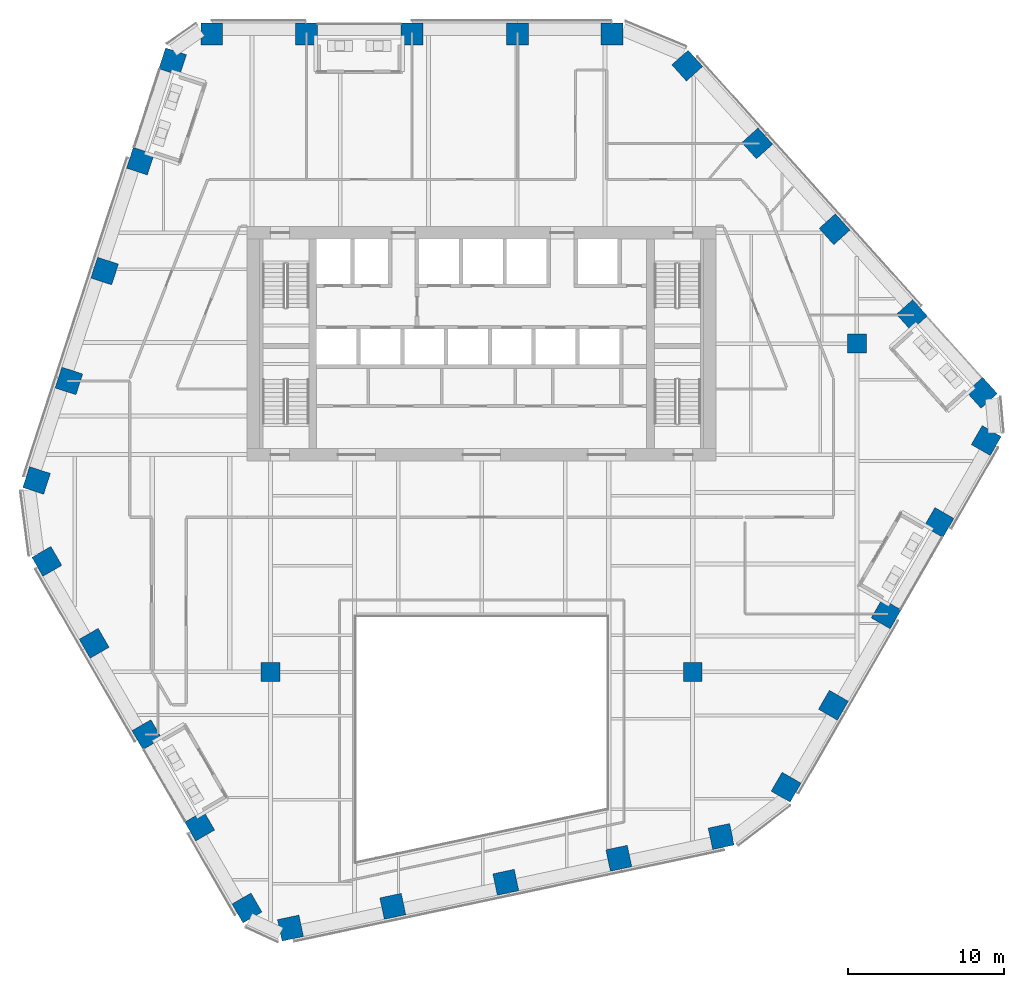
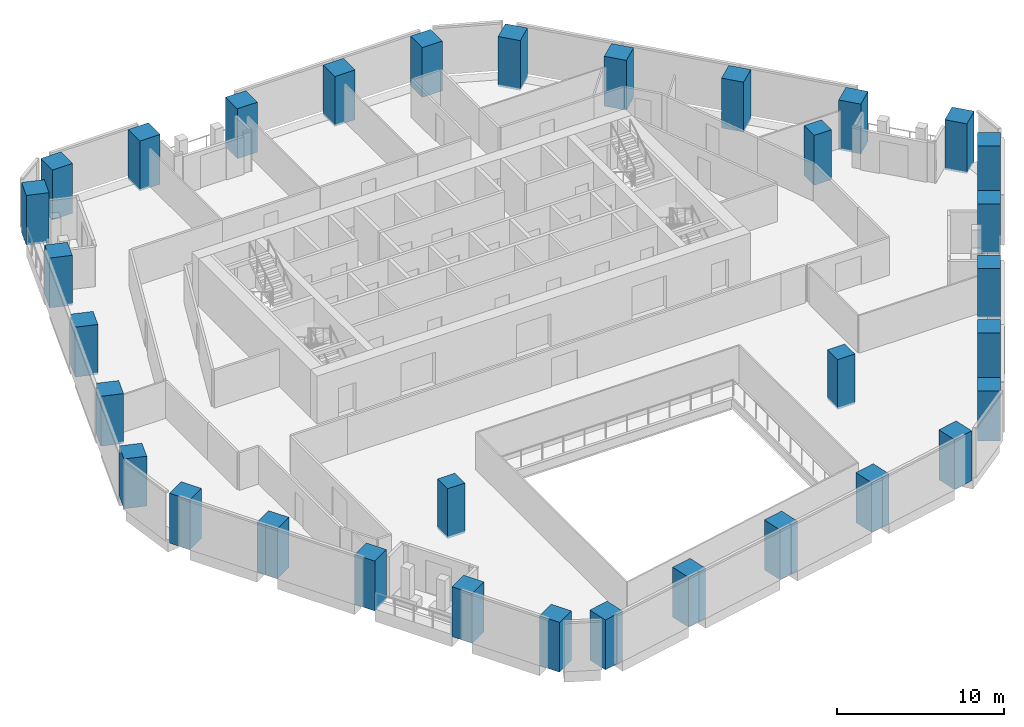
# One storey, part 1 of 26: 33 columns.
"""IFC4 building model written with IfcOpenShell, lengths in metres."""

from ifc_helpers import new_model, si_unit, direction, frame, origin, origin_2d, place, context, subcontext, project, spatial, rectangle, extrude, material, material_profile, profile_set, type_object, element, save


model = new_model("IFC4")

# Units and contexts
model_context = context("Model", 3, precision=1e-05, world=origin(), true_north=direction((0.0, 1.0)))
body_context = subcontext(model_context, "Body", "Model", "MODEL_VIEW")
ifc_project = project(units=[si_unit("LENGTHUNIT", "METRE"), si_unit("AREAUNIT", "SQUARE_METRE"), si_unit("VOLUMEUNIT", "CUBIC_METRE"), si_unit("PLANEANGLEUNIT", "RADIAN"), si_unit("MASSUNIT", "GRAM", prefix="KILO")], contexts=[model_context])

# Site, building, storey
site_placement = place(None, origin())
site = spatial("IfcSite", under=ifc_project, at=site_placement, CompositionType="ELEMENT")
building_placement = place(site_placement, origin())
building = spatial("IfcBuilding", under=site, at=building_placement, Name="Isthmus Gate Tower", CompositionType="ELEMENT")
storey_placement = place(building_placement, frame((0.0, 0.0, 129.800048828125)))
storey = spatial("IfcBuildingStorey", under=building, at=storey_placement, Name="L31", CompositionType="ELEMENT", Elevation=129.800048828125)

# Columns
ifc_material_1 = material(Name="Concrete f'c 60 MPa", Category="concrete")
ifc_material_profile_1 = material_profile(ifc_material_1, rectangle(XDim=1.199951171875, YDim=1.199951171875, at=origin_2d()), Name="RC 1200X1200")
ifc_profile_set_1 = profile_set([ifc_material_profile_1], Name="Concrete f'c 60 MPa")
column_type_1 = type_object("IfcColumnType", Name="RC INTERIOR COLUMN 1200 X 1200", PredefinedType="COLUMN", material=ifc_profile_set_1)
for number, where, z_axis, x_axis, name in (
    (1, (-13.5, -13.5, -0.150146484375), (0.0, 0.0, 1.0), (1.0, 0.0, 0.0), "str-icol-L31-ICB2"),
    (2, (13.5, -13.5, -0.150146484375), (0.0, 0.0, 1.0), (1.0, 0.0, 0.0), "str-icol-L31-ICD2"),
    (3, (24.0, 7.5, -0.150146484375), (0.0, 0.0, 1.0), (1.0, 0.0, 0.0), "str-icol-L31-ICE3"),
):
    element("IfcColumn", number, at=place(storey_placement, frame(where, z_axis=z_axis, x_axis=x_axis)), inside=storey, type_object=column_type_1, Name=name, PredefinedType="COLUMN", context=body_context, shape_type="SweptSolid", body=[
        extrude(rectangle(XDim=1.199951171875, YDim=1.199951171875, at=origin_2d()), origin(), (0.0, 0.0, 1.0), 3.650146484375),
    ])
ifc_material_2 = material(Name="Concrete f'c 60 MPa", Category="concrete")
ifc_material_profile_2 = material_profile(ifc_material_2, rectangle(XDim=1.39990234375, YDim=1.39990234375, at=origin_2d()), Name="RC 1400X1400")
ifc_profile_set_2 = profile_set([ifc_material_profile_2], Name="Concrete f'c 60 MPa")
column_type_2 = type_object("IfcColumnType", Name="RC TUBE COLUMN 1400 X 1400", PredefinedType="COLUMN", material=ifc_profile_set_2)
for number, where, z_axis, x_axis, name in (
    (4, (8.338623046875, 27.300048828125, -0.150146484375), (0.0, 0.0, 1.0), (-1.0, 0.0, 0.0), "str-tcol-L31-T2N0"),
    (5, (2.288330078125, 27.300048828125, -0.150146484375), (0.0, 0.0, 1.0), (-1.0, 0.0, 0.0), "str-tcol-L31-T2N1"),
    (6, (-4.461669921875, 27.300048828125, -0.150146484375), (0.0, 0.0, 1.0), (-1.0, 0.0, 0.0), "str-tcol-L31-T2N2"),
    (7, (-11.2119140625, 27.300048828125, -0.150146484375), (0.0, 0.0, 1.0), (-1.0, 0.0, 0.0), "str-tcol-L31-T2N3"),
    (8, (-17.261962890625, 27.300048828125, -0.150146484375), (0.0, 0.0, 1.0), (-1.0, 0.0, 0.0), "str-tcol-L31-T2N4"),
    (9, (-19.765380859375, 25.532958984375, -0.150146484375), (0.0, 0.0, 1.0), (-0.309016994375, -0.951056516295, 0.0), "str-tcol-L31-T2NW0"),
    (10, (-21.8330078125, 19.169677734375, -0.150146484375), (0.0, 0.0, 1.0), (-0.309016994375, -0.951056516295, 0.0), "str-tcol-L31-T2NW1"),
    (11, (-24.116943359375, 12.140625, -0.150146484375), (0.0, 0.0, 1.0), (-0.309016994375, -0.951056516295, 0.0), "str-tcol-L31-T2NW2"),
    (12, (-26.400634765625, 5.111328125, -0.150146484375), (0.0, 0.0, 1.0), (-0.309016994375, -0.951056516295, 0.0), "str-tcol-L31-T2NW3"),
    (13, (-28.46826171875, -1.251953125, -0.150146484375), (0.0, 0.0, 1.0), (-0.309016994375, -0.951056516295, 0.0), "str-tcol-L31-T2NW4"),
    (14, (-27.811767578125, -6.4287109375, -0.150146484375), (0.0, 0.0, 1.0), (0.5, -0.866025403784, 0.0), "str-tcol-L31-T2SW0"),
    (15, (-24.78662109375, -11.668212890625, -0.150146484375), (0.0, 0.0, 1.0), (0.5, -0.866025403784, 0.0), "str-tcol-L31-T2SW1"),
    (16, (-21.41162109375, -17.513916015625, -0.150146484375), (0.0, 0.0, 1.0), (0.5, -0.866025403784, 0.0), "str-tcol-L31-T2SW2"),
    (17, (-18.03662109375, -23.359619140625, -0.150146484375), (0.0, 0.0, 1.0), (0.5, -0.866025403784, 0.0), "str-tcol-L31-T2SW3"),
    (18, (-15.011474609375, -28.599365234375, -0.150146484375), (0.0, 0.0, 1.0), (0.5, -0.866025403784, 0.0), "str-tcol-L31-T2SW4"),
    (19, (-12.2294921875, -29.8837890625, -0.150146484375), (0.0, 0.0, 1.0), (0.978147600734, 0.207911690818, 0.0), "str-tcol-L31-T2S0"),
    (20, (-5.684814453125, -28.49267578125, -0.150146484375), (0.0, 0.0, 1.0), (0.978147600734, 0.207911690818, 0.0), "str-tcol-L31-T2S1"),
    (21, (1.54443359375, -26.9560546875, -0.150146484375), (0.0, 0.0, 1.0), (0.978147600734, 0.207911690818, 0.0), "str-tcol-L31-T2S2"),
    (22, (8.773681640625, -25.41943359375, -0.150146484375), (0.0, 0.0, 1.0), (0.978147600734, 0.207911690818, 0.0), "str-tcol-L31-T2S3"),
    (23, (15.318359375, -24.0283203125, -0.150146484375), (0.0, 0.0, 1.0), (0.978147600734, 0.207911690818, 0.0), "str-tcol-L31-T2S4"),
    (24, (19.47314453125, -20.871337890625, -0.150146484375), (0.0, 0.0, 1.0), (0.5, 0.866025403784, 0.0), "str-tcol-L31-T2SE0"),
    (25, (22.498291015625, -15.6318359375, -0.150146484375), (0.0, 0.0, 1.0), (0.5, 0.866025403784, 0.0), "str-tcol-L31-T2SE1"),
    (26, (25.873291015625, -9.7861328125, -0.150146484375), (0.0, 0.0, 1.0), (0.5, 0.866025403784, 0.0), "str-tcol-L31-T2SE2"),
    (27, (29.248291015625, -3.940185546875, -0.150146484375), (0.0, 0.0, 1.0), (0.5, 0.866025403784, 0.0), "str-tcol-L31-T2SE3"),
    (28, (32.2734375, 1.29931640625, -0.150146484375), (0.0, 0.0, 1.0), (0.5, 0.866025403784, 0.0), "str-tcol-L31-T2SE4"),
    (29, (31.994873046875, 4.350830078125, -0.150146484375), (0.0, 0.0, 1.0), (-0.669130606359, 0.743144825477, 0.0), "str-tcol-L31-T2NE0"),
    (30, (27.517822265625, 9.3232421875, -0.150146484375), (0.0, 0.0, 1.0), (-0.669130606359, 0.743144825477, 0.0), "str-tcol-L31-T2NE1"),
    (31, (22.572509765625, 14.815673828125, -0.150146484375), (0.0, 0.0, 1.0), (-0.669130606359, 0.743144825477, 0.0), "str-tcol-L31-T2NE2"),
    (32, (17.626953125, 20.30810546875, -0.150146484375), (0.0, 0.0, 1.0), (-0.669130606359, 0.743144825477, 0.0), "str-tcol-L31-T2NE3"),
    (33, (13.14990234375, 25.2802734375, -0.150146484375), (0.0, 0.0, 1.0), (-0.669130606359, 0.743144825477, 0.0), "str-tcol-L31-T2NE4"),
):
    element("IfcColumn", number, at=place(storey_placement, frame(where, z_axis=z_axis, x_axis=x_axis)), inside=storey, type_object=column_type_2, Name=name, PredefinedType="COLUMN", context=body_context, shape_type="SweptSolid", body=[
        extrude(rectangle(XDim=1.39990234375, YDim=1.39990234375, at=origin_2d()), origin(), (0.0, 0.0, 1.0), 3.650146484375),
    ])

save(model, "model.ifc")
